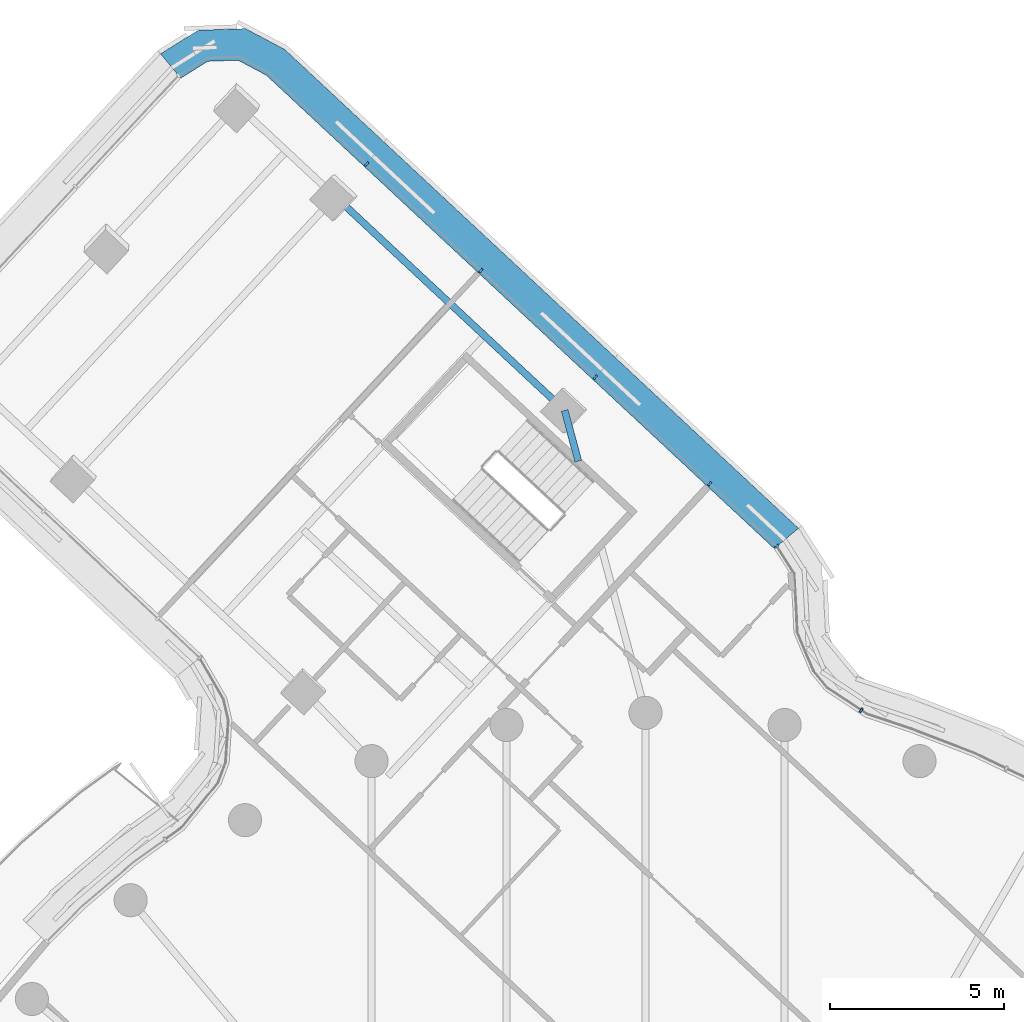
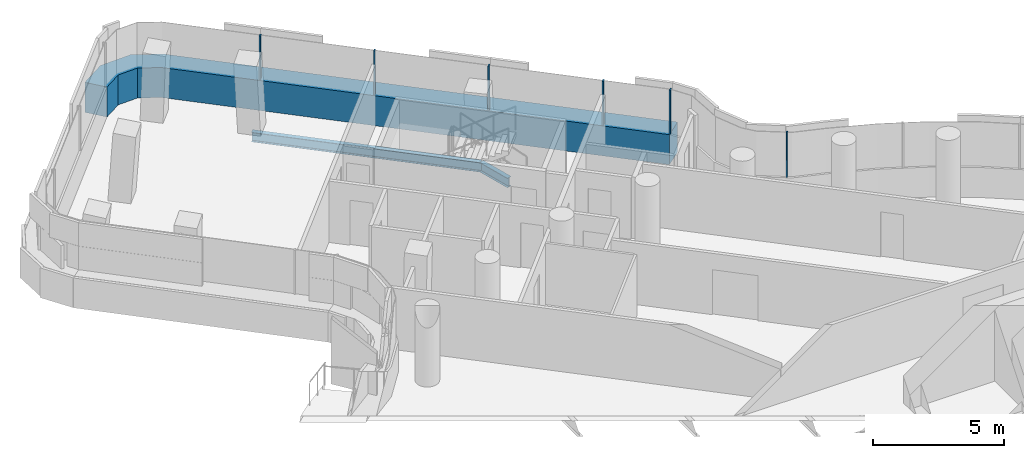
# One storey, part 14 of 30: 7 members, 2 beams, 2 elements without a shape of their own.
"""IFC4 building model written with IfcOpenShell, lengths in metres."""

from ifc_helpers import new_model, si_unit, direction, frame, origin, origin_2d, place, context, subcontext, project, spatial, polyline, rectangle, i_section, outline, extrude, material, layer, layer_set, material_profile, profile_set, type_object, element, aggregate, save


model = new_model("IFC4")

# Units and contexts
model_context = context("Model", 3, precision=1e-05, world=origin(), true_north=direction((0.0, 1.0)))
body_context = subcontext(model_context, "Body", "Model", "MODEL_VIEW")
ifc_project = project(units=[si_unit("LENGTHUNIT", "METRE"), si_unit("AREAUNIT", "SQUARE_METRE"), si_unit("VOLUMEUNIT", "CUBIC_METRE"), si_unit("PLANEANGLEUNIT", "RADIAN"), si_unit("MASSUNIT", "GRAM", prefix="KILO")], contexts=[model_context])

# Site, building, storey
site_placement = place(None, origin())
site = spatial("IfcSite", under=ifc_project, at=site_placement, CompositionType="ELEMENT")
building_placement = place(site_placement, origin())
building = spatial("IfcBuilding", under=site, at=building_placement, Name="Tamarind Cross Interchange Tower", CompositionType="ELEMENT")
storey_placement = place(building_placement, frame((0.0, 0.0, 204.10009765625)))
storey = spatial("IfcBuildingStorey", under=building, at=storey_placement, Name="L51", CompositionType="ELEMENT", Elevation=204.10009765625)

# Beams
ifc_material_1 = material(Name="Steel Q355B", Category="steel")
ifc_material_profile_1 = material_profile(ifc_material_1, i_section(OverallWidth=0.198974609375, OverallDepth=0.446044921875, WebThickness=0.008056640625, FlangeThickness=0.011962890625, FilletRadius=0.012939453125, at=origin_2d()), Name="HN 446x199x8x12")
ifc_profile_set_1 = profile_set([ifc_material_profile_1], Name="Steel Q355B")
beam_type = type_object("IfcBeamType", Name="Composite beam HN 446x199x8x12 Q355B", PredefinedType="BEAM", material=ifc_profile_set_1)
beam_1_placement = place(storey_placement, frame((-8.90576171875, 37.818603515625, -0.363037109375), z_axis=(0.7315313897, -0.681807763144, 0.0), x_axis=(0.681807763144, 0.7315313897, 0.0)))
element("IfcBeam", 1, at=beam_1_placement, inside=storey, type_object=beam_type, Name="Beam N-edgeem6", PredefinedType="BEAM", context=body_context, shape_type="SweptSolid", body=[
    extrude(i_section(OverallWidth=0.198974609375, OverallDepth=0.446044921875, WebThickness=0.008056640625, FlangeThickness=0.011962890625, FilletRadius=0.012939453125, at=origin_2d()), origin(), (0.0, 0.0, 1.0), 9.0),
])
beam_2_placement = place(storey_placement, frame((-2.322021484375, 31.682373046875, -0.363037109375), z_axis=(0.258428510656, -0.966030385071, 0.0), x_axis=(0.966030385071, 0.258428510656, 0.0)))
element("IfcBeam", 2, at=beam_2_placement, inside=storey, type_object=beam_type, Name="Beam N-linkemt0", PredefinedType="BEAM", context=body_context, shape_type="SweptSolid", body=[
    extrude(i_section(OverallWidth=0.198974609375, OverallDepth=0.446044921875, WebThickness=0.008056640625, FlangeThickness=0.011962890625, FilletRadius=0.012939453125, at=origin_2d()), origin(), (0.0, 0.0, 1.0), 1.5078125),
])

# Curtain wall, member
ifc_material_2 = material(Name="Aluminium 6063-T6", Category="aluminium")
ifc_layer = layer(ifc_material_2, 0.139892578125)
ifc_layer_set = layer_set([ifc_layer], Name="Aluminium 6063-T6")
curtain_wall_type = type_object("IfcCurtainWallType", Name="Hotel curtain wall, 4.5 m bays", PredefinedType="NOTDEFINED", material=ifc_layer_set)
curtain_wall_1_placement = place(storey_placement, origin())
curtain_wall_1 = element("IfcCurtainWall", 3, at=curtain_wall_1_placement, inside=storey, type_object=curtain_wall_type, Name="CWS-L51-07", PredefinedType="NOTDEFINED")
ifc_material_3 = material(Name="Aluminium and insulated spandrel panel", Category="aluminium")
member_type_1 = type_object("IfcMemberType", Name="Floor-edge blade transom", PredefinedType="USERDEFINED", material=ifc_material_3)
member_1_placement = place(storey_placement, origin())
member_1 = element("IfcMember", 4, at=member_1_placement, type_object=member_type_1, Name="CWT-L51-07", ObjectType="TRANSOM", PredefinedType="USERDEFINED", context=body_context, shape_type="SweptSolid", body=[
    extrude(outline(polyline([(3.693603515625, 27.71630859375), (-10.88818359375, 41.306396484375), (-11.696533203125, 41.73583984375), (-12.570556640625, 41.705078125), (-13.3466796875, 41.219970703125), (-13.92431640625, 41.920166015625), (-12.84326171875, 42.59619140625), (-11.4873046875, 42.643798828125), (-10.361328125, 42.045654296875), (4.39111328125, 28.296630859375), (3.693603515625, 27.71630859375)])), origin(), (0.0, 0.0, 1.0), 1.39990234375),
])

curtain_wall_2_placement = place(storey_placement, origin())
curtain_wall_2 = element("IfcCurtainWall", 5, at=curtain_wall_2_placement, inside=storey, type_object=curtain_wall_type, Name="CWS-L51-06", PredefinedType="NOTDEFINED")
ifc_material_profile_2 = material_profile(ifc_material_2, rectangle(XDim=0.06005859375, YDim=0.139892578125, at=origin_2d()), Name="Mullion CW2")
ifc_profile_set_2 = profile_set([ifc_material_profile_2], Name="Aluminium 6063-T6")
member_type_2 = type_object("IfcMemberType", Name="Mullion CW2", PredefinedType="MULLION", material=ifc_profile_set_2)
member_2_placement = place(storey_placement, frame((6.19140625, 23.07421875, 1.39990234375), z_axis=(0.0, 0.0, 1.0), x_axis=(-0.83408046056, 0.55164280591, 0.0)))
member_2 = element("IfcMember", 6, at=member_2_placement, type_object=member_type_2, Name="CWM-L51-06-13", PredefinedType="MULLION", context=body_context, shape_type="SweptSolid", body=[
    extrude(rectangle(XDim=0.06005859375, YDim=0.139892578125, at=origin_2d()), origin(), (0.0, 0.0, 1.0), 2.06005859375),
])
aggregate(curtain_wall_2, [member_2])

# Member
member_3_placement = place(storey_placement, frame((3.77099609375, 27.78076171875, 1.39990234375), z_axis=(0.0, 0.0, 1.0), x_axis=(-0.639487379095, 0.768801594677, 0.0)))
member_3 = element("IfcMember", 7, at=member_3_placement, type_object=member_type_2, Name="CWM-L51-07-00", PredefinedType="MULLION", context=body_context, shape_type="SweptSolid", body=[
    extrude(rectangle(XDim=0.06005859375, YDim=0.139892578125, at=origin_2d()), origin(), (0.0, 0.0, 1.0), 2.06005859375),
])

member_4_placement = place(storey_placement, frame((1.8427734375, 29.577880859375, 1.39990234375), z_axis=(0.0, 0.0, 1.0), x_axis=(-0.73154412297, 0.681794100992, 0.0)))
member_4 = element("IfcMember", 8, at=member_4_placement, type_object=member_type_2, Name="CWM-L51-07-01", PredefinedType="MULLION", context=body_context, shape_type="SweptSolid", body=[
    extrude(rectangle(XDim=0.06005859375, YDim=0.139892578125, at=origin_2d()), origin(), (0.0, 0.0, 1.0), 2.06005859375),
])

member_5_placement = place(storey_placement, frame((-1.440673828125, 32.63818359375, 1.39990234375), z_axis=(0.0, 0.0, 1.0), x_axis=(-0.73154412297, 0.681794100992, 0.0)))
member_5 = element("IfcMember", 9, at=member_5_placement, type_object=member_type_2, Name="CWM-L51-07-02", PredefinedType="MULLION", context=body_context, shape_type="SweptSolid", body=[
    extrude(rectangle(XDim=0.06005859375, YDim=0.139892578125, at=origin_2d()), origin(), (0.0, 0.0, 1.0), 2.06005859375),
])

member_6_placement = place(storey_placement, frame((-4.72412109375, 35.6982421875, 1.39990234375), z_axis=(0.0, 0.0, 1.0), x_axis=(-0.73154412297, 0.681794100992, 0.0)))
member_6 = element("IfcMember", 10, at=member_6_placement, type_object=member_type_2, Name="CWM-L51-07-03", PredefinedType="MULLION", context=body_context, shape_type="SweptSolid", body=[
    extrude(rectangle(XDim=0.06005859375, YDim=0.139892578125, at=origin_2d()), origin(), (0.0, 0.0, 1.0), 2.06005859375),
])

member_7_placement = place(storey_placement, frame((-8.007568359375, 38.758544921875, 1.39990234375), z_axis=(0.0, 0.0, 1.0), x_axis=(-0.73154412297, 0.681794100992, 0.0)))
member_7 = element("IfcMember", 11, at=member_7_placement, type_object=member_type_2, Name="CWM-L51-07-04", PredefinedType="MULLION", context=body_context, shape_type="SweptSolid", body=[
    extrude(rectangle(XDim=0.06005859375, YDim=0.139892578125, at=origin_2d()), origin(), (0.0, 0.0, 1.0), 2.06005859375),
])

aggregate(curtain_wall_1, [member_3, member_4, member_5, member_6, member_7, member_1])

save(model, "model.ifc")
